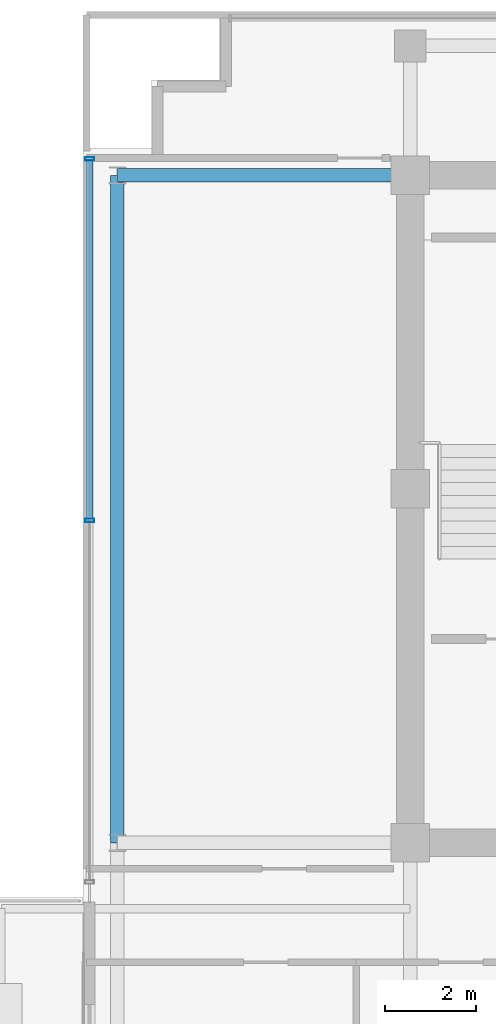
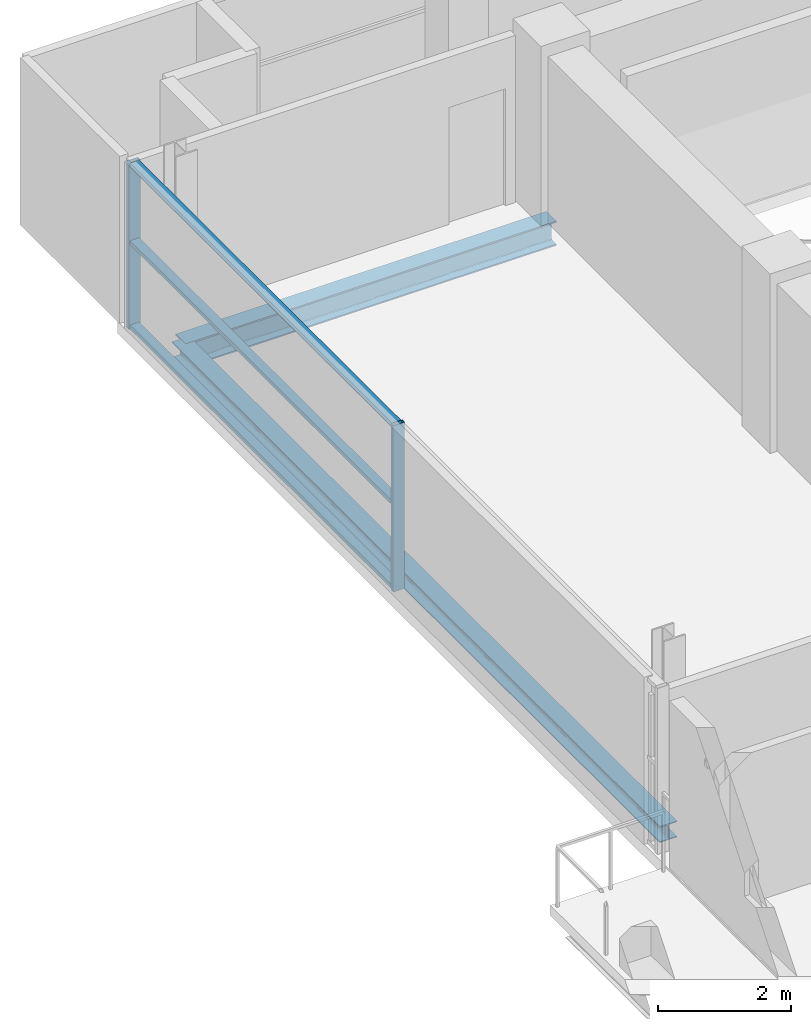
# One storey, part 9 of 28: 5 members, 2 beams, 1 element without a shape of its own.
"""IFC4 building model written with IfcOpenShell, lengths in metres."""

from ifc_helpers import new_model, si_unit, direction, frame, origin, origin_2d, place, context, subcontext, project, spatial, hollow_rectangle, i_section, extrude, source, transform, mapped, material, layer, layer_set, material_profile, profile_set, type_object, element, aggregate, save


model = new_model("IFC4")

# Units and contexts
model_context = context("Model", 3, precision=1e-05, world=origin(), true_north=direction((0.0, 1.0)))
body_context = subcontext(model_context, "Body", "Model", "MODEL_VIEW")
ifc_project = project(units=[si_unit("LENGTHUNIT", "METRE"), si_unit("AREAUNIT", "SQUARE_METRE"), si_unit("VOLUMEUNIT", "CUBIC_METRE"), si_unit("PLANEANGLEUNIT", "RADIAN"), si_unit("MASSUNIT", "GRAM", prefix="KILO")], contexts=[model_context])

# Site, building, storey
site_placement = place(None, origin())
site = spatial("IfcSite", under=ifc_project, at=site_placement, CompositionType="ELEMENT")
building_placement = place(site_placement, origin())
building = spatial("IfcBuilding", under=site, at=building_placement, Name="Zarnakvel Exchange Tower", CompositionType="ELEMENT")
storey_placement = place(building_placement, frame((0.0, 0.0, 261.699951171875)))
storey = spatial("IfcBuildingStorey", under=building, at=storey_placement, Name="L74", CompositionType="ELEMENT", Elevation=261.699951171875)

# Beams
ifc_material_1 = material(Name="Steel S355", Category="steel")
ifc_material_profile_1 = material_profile(ifc_material_1, i_section(OverallWidth=0.300048828125, OverallDepth=0.449951171875, WebThickness=0.013916015625, FlangeThickness=0.02587890625, FilletRadius=0.027099609375, at=origin_2d()))
ifc_profile_set_1 = profile_set([ifc_material_profile_1], Name="Steel S355")
beam_type_1 = type_object("IfcBeamType", Name="G-07", PredefinedType="BEAM", material=ifc_profile_set_1)
beam_1_placement = place(storey_placement, frame((-20.85009765625, 13.5, -0.449951171875), z_axis=(1.0, 0.0, 0.0), x_axis=(0.0, 1.0, 0.0)))
element("IfcBeam", 1, at=beam_1_placement, inside=storey, type_object=beam_type_1, Name="L74 Tower E-W Frame Beam", PredefinedType="BEAM", context=body_context, shape_type="SweptSolid", body=[
    extrude(i_section(OverallWidth=0.300048828125, OverallDepth=0.449951171875, WebThickness=0.013916015625, FlangeThickness=0.02587890625, FilletRadius=0.027099609375, at=origin_2d()), origin(), (0.0, 0.0, 1.0), 6.4501953125),
])
ifc_material_profile_2 = material_profile(ifc_material_1, i_section(OverallWidth=0.300048828125, OverallDepth=0.300048828125, WebThickness=0.010986328125, FlangeThickness=0.01904296875, FilletRadius=0.027099609375, at=origin_2d()))
ifc_profile_set_2 = profile_set([ifc_material_profile_2], Name="Steel S355")
beam_type_2 = type_object("IfcBeamType", Name="SP-03", PredefinedType="SPANDREL", material=ifc_profile_set_2)
beam_2_placement = place(storey_placement, frame((-20.85009765625, -1.199951171875, -0.375), z_axis=(0.0, 1.0, 0.0), x_axis=(-1.0, 0.0, 0.0)))
element("IfcBeam", 2, at=beam_2_placement, inside=storey, type_object=beam_type_2, Name="L74 Tower N-S Frame Beam", PredefinedType="SPANDREL", context=body_context, shape_type="SweptSolid", body=[
    extrude(i_section(OverallWidth=0.300048828125, OverallDepth=0.300048828125, WebThickness=0.010986328125, FlangeThickness=0.01904296875, FilletRadius=0.027099609375, at=origin_2d()), origin(), (0.0, 0.0, 1.0), 14.699951171875),
])

# Curtain wall, members
ifc_material_2 = material(Name="Architectural Bronze Anodised Aluminium", Category="aluminium")
ifc_layer = layer(ifc_material_2, 0.199951171875)
ifc_layer_set = layer_set([ifc_layer], Name="Architectural Bronze Anodised Aluminium")
curtain_wall_type = type_object("IfcCurtainWallType", Name="CW-04", PredefinedType="NOTDEFINED", material=ifc_layer_set)
curtain_wall_placement = place(storey_placement, origin())
curtain_wall = element("IfcCurtainWall", 3, at=curtain_wall_placement, inside=storey, type_object=curtain_wall_type, Name="L74 Curtain Wall CW-L74-WN (CW-04)", PredefinedType="NOTDEFINED")
ifc_material_profile_3 = material_profile(ifc_material_2, hollow_rectangle(XDim=0.199951171875, YDim=0.074951171875, WallThickness=0.0048828125, at=origin_2d()))
ifc_profile_set_3 = profile_set([ifc_material_profile_3], Name="Architectural Bronze Anodised Aluminium")
member_type_1 = type_object("IfcMemberType", Name="CWM-04", PredefinedType="MULLION", material=ifc_profile_set_3)
shared_shape_1 = source(origin(), body_context, "Body", "SweptSolid", [
    extrude(hollow_rectangle(XDim=0.199951171875, YDim=0.074951171875, WallThickness=0.0048828125, at=origin_2d()), origin(), (0.0, 0.0, 1.0), 3.054931640625),
])
member_1_placement = place(storey_placement, frame((-21.4599609375, 5.89990234375, 0.0), z_axis=(0.0, 0.0, 1.0), x_axis=(-1.0, 0.0, 0.0)))
member_1 = element("IfcMember", 4, at=member_1_placement, type_object=member_type_1, Name="CW-04 mullion 2", PredefinedType="MULLION", context=body_context, shape_type="MappedRepresentation", body=[
    mapped(shared_shape_1, transform((0.0, 0.0, 0.0), x_axis=(1.0, 0.0, 0.0), y_axis=(0.0, 1.0, 0.0), z_axis=(0.0, 0.0, 1.0), scale=1.0)),
])
member_2_placement = place(storey_placement, frame((-21.4599609375, 13.862548828125, 0.0), z_axis=(0.0, 0.0, 1.0), x_axis=(-1.0, 0.0, 0.0)))
member_2 = element("IfcMember", 5, at=member_2_placement, type_object=member_type_1, Name="CW-04 mullion 3", PredefinedType="MULLION", context=body_context, shape_type="MappedRepresentation", body=[
    mapped(shared_shape_1, transform((0.0, 0.0, 0.0), x_axis=(1.0, 0.0, 0.0), y_axis=(0.0, 1.0, 0.0), z_axis=(0.0, 0.0, 1.0), scale=1.0)),
])
ifc_material_profile_4 = material_profile(ifc_material_2, hollow_rectangle(XDim=0.159912109375, YDim=0.074951171875, WallThickness=0.00390625, at=origin_2d()))
ifc_profile_set_4 = profile_set([ifc_material_profile_4], Name="Architectural Bronze Anodised Aluminium")
member_type_2 = type_object("IfcMemberType", Name="CWT-04", PredefinedType="USERDEFINED", material=ifc_profile_set_4)
shared_shape_2 = source(origin(), body_context, "Body", "SweptSolid", [
    extrude(hollow_rectangle(XDim=0.159912109375, YDim=0.074951171875, WallThickness=0.00390625, at=origin_2d()), origin(), (0.0, 0.0, 1.0), 7.887451171875),
])
member_3_placement = place(storey_placement, frame((-21.4599609375, 5.9375, 0.03759765625), z_axis=(0.0, 1.0, 0.0), x_axis=(-1.0, 0.0, 0.0)))
member_3 = element("IfcMember", 6, at=member_3_placement, type_object=member_type_2, Name="CW-04 transom 2.1", ObjectType="TRANSOM", PredefinedType="USERDEFINED", context=body_context, shape_type="MappedRepresentation", body=[
    mapped(shared_shape_2, transform((0.0, 0.0, 0.0), x_axis=(1.0, 0.0, 0.0), y_axis=(0.0, 1.0, 0.0), z_axis=(0.0, 0.0, 1.0), scale=1.0)),
])
member_4_placement = place(storey_placement, frame((-21.4599609375, 5.9375, 1.588623046875), z_axis=(0.0, 1.0, 0.0), x_axis=(-1.0, 0.0, 0.0)))
member_4 = element("IfcMember", 7, at=member_4_placement, type_object=member_type_2, Name="CW-04 transom 2.2", ObjectType="TRANSOM", PredefinedType="USERDEFINED", context=body_context, shape_type="MappedRepresentation", body=[
    mapped(shared_shape_2, transform((0.0, 0.0, 0.0), x_axis=(1.0, 0.0, 0.0), y_axis=(0.0, 1.0, 0.0), z_axis=(0.0, 0.0, 1.0), scale=1.0)),
])
member_5_placement = place(storey_placement, frame((-21.4599609375, 5.9375, 3.017578125), z_axis=(0.0, 1.0, 0.0), x_axis=(-1.0, 0.0, 0.0)))
member_5 = element("IfcMember", 8, at=member_5_placement, type_object=member_type_2, Name="CW-04 transom 2.3", ObjectType="TRANSOM", PredefinedType="USERDEFINED", context=body_context, shape_type="MappedRepresentation", body=[
    mapped(shared_shape_2, transform((0.0, 0.0, 0.0), x_axis=(1.0, 0.0, 0.0), y_axis=(0.0, 1.0, 0.0), z_axis=(0.0, 0.0, 1.0), scale=1.0)),
])
aggregate(curtain_wall, [member_1, member_2, member_3, member_4, member_5])

save(model, "model.ifc")
